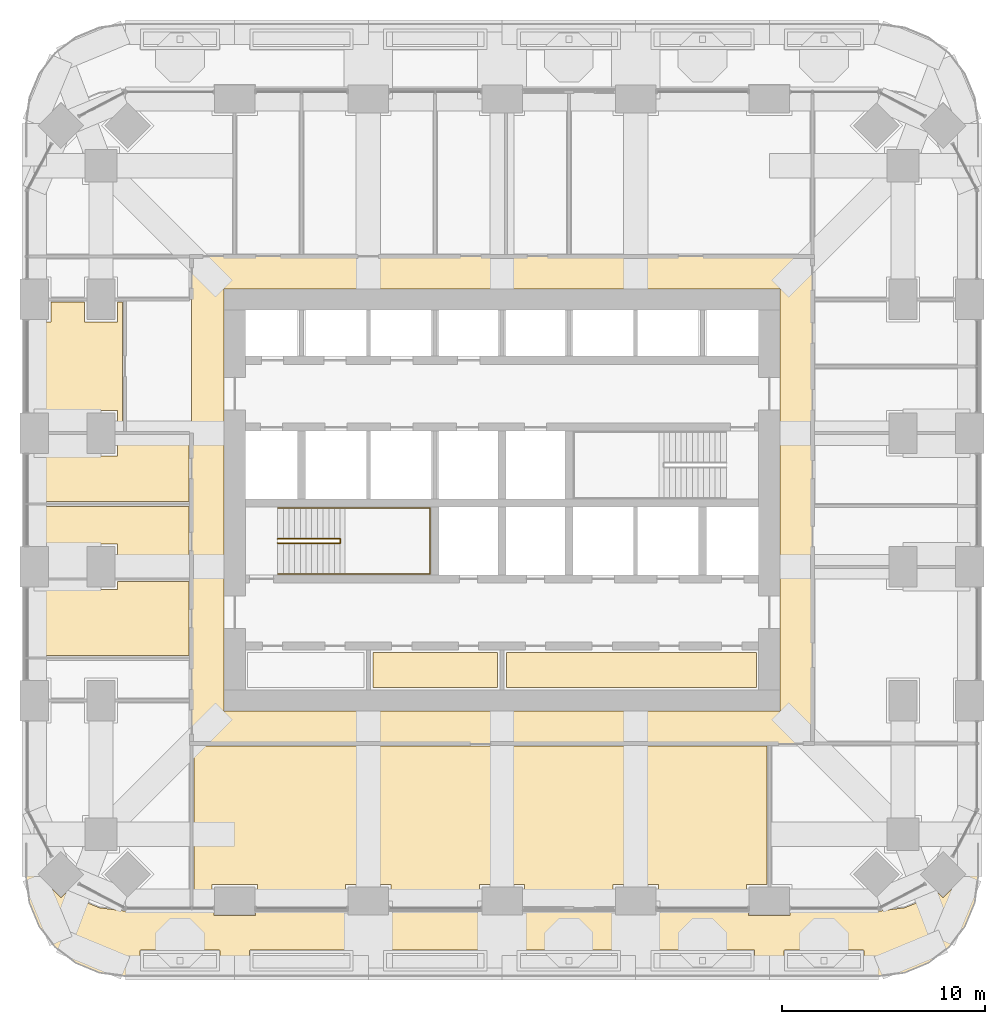
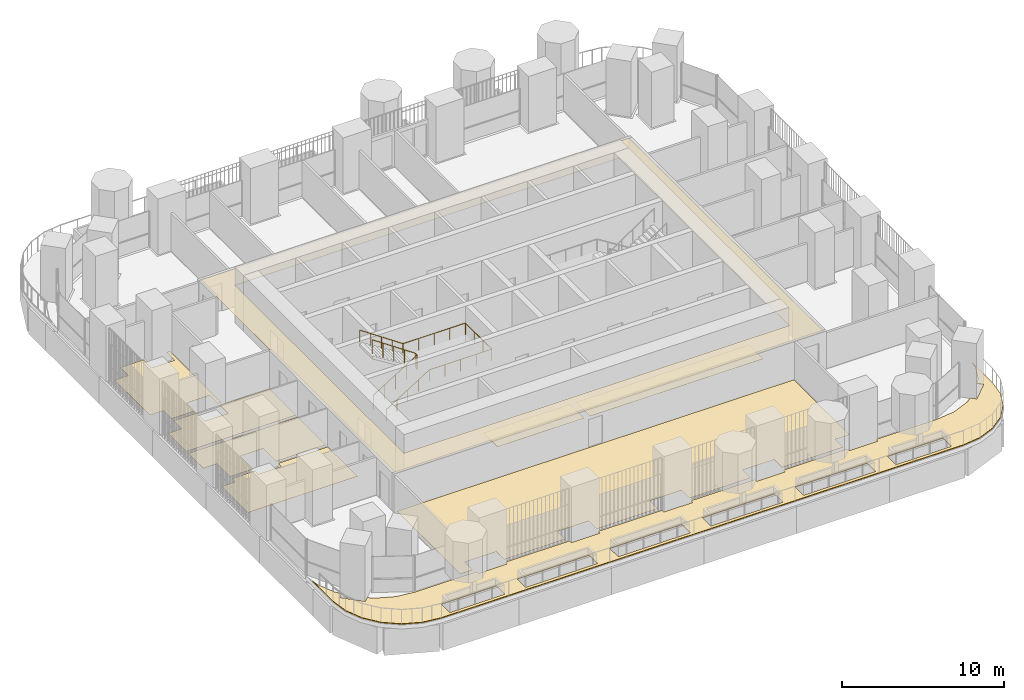
# One storey, part 18 of 22: 9 coverings, 2 railings.
"""IFC4 building model written with IfcOpenShell, lengths in metres."""

import ifcopenshell
import ifcopenshell.guid

model = None  # the IFC model being written
_history = None  # IfcOwnerHistory: only IFC2X3 demands one
_inside = {}  # id of a spatial element -> (the spatial element, [elements in it])
_under = {}  # id of a project, library or spatial element -> (it, [spatial elements below it])
_declared = {}  # id of a project -> (the project, [libraries it declares])
_typed = {}  # id of a type object -> (the type object, [elements of that type])
_made_of = {}  # id of a material, layer set ... -> (it, [elements and type objects made of it])


def new_model(schema):
    """Start an empty IFC model of exactly this schema.

    Asked for "IFC4X3", IfcOpenShell would pick the latest addendum, in which some entities
    have other attributes; the version numbers below select the first issue.
    IFC2X3 requires an IfcOwnerHistory on every rooted entity: one is made here for all.
    """
    global model, _history
    if schema == "IFC4X3":
        model = ifcopenshell.file(schema_version=(4, 3, 0, 0))
    else:
        model = ifcopenshell.file(schema=schema)
    _inside.clear()
    _under.clear()
    _declared.clear()
    _typed.clear()
    _made_of.clear()
    _history = None
    if model.schema == "IFC2X3":
        org = make("IfcOrganization", Name="unknown")
        user = make(
            "IfcPersonAndOrganization",
            ThePerson=make("IfcPerson", FamilyName="unknown"),
            TheOrganization=org,
        )
        app = make(
            "IfcApplication",
            ApplicationDeveloper=org,
            Version="unknown",
            ApplicationFullName="unknown",
            ApplicationIdentifier="unknown",
        )
        _history = make(
            "IfcOwnerHistory",
            OwningUser=user,
            OwningApplication=app,
            ChangeAction="ADDED",
            CreationDate=0,
        )
    return model


def make(cls, **values):
    """One entity of the class cls with the attributes given. An attribute that is None is left unset."""
    return model.create_entity(
        cls, **{name: value for name, value in values.items() if value is not None}
    )


def rooted(cls, **values):
    """An entity with a GlobalId (a new one), such as an element, a storey or a relation."""
    return make(cls, GlobalId=ifcopenshell.guid.new(), OwnerHistory=_history, **values)


def si_unit(unit_type, name, prefix=None):
    """IfcSIUnit, for example si_unit("LENGTHUNIT", "METRE", prefix="MILLI")."""
    return make("IfcSIUnit", UnitType=unit_type, Prefix=prefix, Name=name)


def assignment(units):
    """IfcUnitAssignment: the units of a project."""
    return None if units is None else make("IfcUnitAssignment", Units=units)


def point(xyz):
    """IfcCartesianPoint."""
    return None if xyz is None else make("IfcCartesianPoint", Coordinates=xyz)


def direction(xyz):
    """IfcDirection."""
    return None if xyz is None else make("IfcDirection", DirectionRatios=xyz)


def frame(location, z_axis=None, x_axis=None):
    """IfcAxis2Placement3D, a coordinate frame: its origin and axes. An axis left out is left unset."""
    return make(
        "IfcAxis2Placement3D",
        Location=point(location),
        Axis=direction(z_axis),
        RefDirection=direction(x_axis),
    )


def origin():
    """The frame at (0, 0, 0) with its axes left unset."""
    return frame((0.0, 0.0, 0.0))


def place(relative_to, where):
    """IfcLocalPlacement: puts the frame where relative to a parent placement (None: the world)."""
    return make(
        "IfcLocalPlacement", PlacementRelTo=relative_to, RelativePlacement=where
    )


def context(
    kind, dimensions, precision=None, world=None, true_north=None, identifier=None
):
    """IfcGeometricRepresentationContext, for example the 3D "Model" context."""
    return make(
        "IfcGeometricRepresentationContext",
        ContextIdentifier=identifier,
        ContextType=kind,
        CoordinateSpaceDimension=dimensions,
        Precision=precision,
        WorldCoordinateSystem=world,
        TrueNorth=true_north,
    )


def subcontext(parent, identifier, kind, view, scale=None):
    """IfcGeometricRepresentationSubContext, for example "Body" below "Model"."""
    return make(
        "IfcGeometricRepresentationSubContext",
        ContextIdentifier=identifier,
        ContextType=kind,
        ParentContext=parent,
        TargetScale=scale,
        TargetView=view,
    )


def project(units=None, contexts=None):
    """IfcProject with its units and contexts."""
    return rooted(
        "IfcProject",
        Name="project",
        RepresentationContexts=contexts,
        UnitsInContext=assignment(units),
    )


def spatial(cls, under=None, at=None, **own):
    """A site, building, storey or space (cls), placed at a placement, below another one or the project."""
    s = rooted(cls, ObjectPlacement=at, **own)
    if under is not None:
        _under.setdefault(under.id(), (under, []))[1].append(s)
    return s


def polyline(points):
    """IfcPolyline through the points."""
    return make("IfcPolyline", Points=[point(p) for p in points])


def outline(outer, holes=None, kind="AREA"):
    """IfcArbitraryClosedProfileDef: a profile drawn as a closed curve; with holes, ...WithVoids."""
    if holes is None:
        return make("IfcArbitraryClosedProfileDef", ProfileType=kind, OuterCurve=outer)
    return make(
        "IfcArbitraryProfileDefWithVoids",
        ProfileType=kind,
        OuterCurve=outer,
        InnerCurves=holes,
    )


def extrude(swept, where, along, depth):
    """IfcExtrudedAreaSolid: the profile swept, set in the frame where, extruded along a direction by depth."""
    return make(
        "IfcExtrudedAreaSolid",
        SweptArea=swept,
        Position=where,
        ExtrudedDirection=direction(along),
        Depth=depth,
    )


def shape(context_of_items, identifier, shape_type, items):
    """IfcShapeRepresentation: the items that make up one representation, for example the "Body"."""
    return make(
        "IfcShapeRepresentation",
        ContextOfItems=context_of_items,
        RepresentationIdentifier=identifier,
        RepresentationType=shape_type,
        Items=items,
    )


def material(Name=None, Category=None):
    """IfcMaterial."""
    return make("IfcMaterial", Name=Name, Category=Category)


def layer(
    of_material, thickness, ventilated=None, Name=None, Category=None, Priority=None
):
    """IfcMaterialLayer: one layer of a wall or slab, of a material (None: an air gap)."""
    return make(
        "IfcMaterialLayer",
        Material=of_material,
        LayerThickness=thickness,
        IsVentilated=ventilated,
        Name=Name,
        Category=Category,
        Priority=Priority,
    )


def layer_set(layers, Name=None):
    """IfcMaterialLayerSet."""
    return make("IfcMaterialLayerSet", MaterialLayers=layers, LayerSetName=Name)


def made_of(thing, what):
    """Note that an element or type object is made of a material, layer set ...; save() writes the relation."""
    if what is not None:
        _made_of.setdefault(what.id(), (what, []))[1].append(thing)
    return thing


def type_object(cls, material=None, **own):
    """A type object (cls), such as IfcWallType, which elements share."""
    return made_of(rooted(cls, **own), material)


def element(
    cls,
    number,
    at=None,
    inside=None,
    cuts=None,
    type_object=None,
    material=None,
    context=None,
    identifier="Body",
    shape_type=None,
    held_by="IfcProductDefinitionShape",
    body=None,
    shapes=None,
    **own,
):
    """One element of the class cls, such as IfcWall. Its Tag is "e" and its number.

    at: its placement. inside: the storey or other place that contains it. cuts: it is an
    opening in that element (IfcRelVoidsElement). A single representation is given by context,
    identifier, shape_type and body (its items); several are given by shapes. held_by: the class
    of the entity that holds the representations. save() writes the other relations.
    """
    e = rooted(cls, Tag="e%d" % number, ObjectPlacement=at, **own)
    if body is not None:
        shapes = [shape(context, identifier, shape_type, body)]
    if shapes is not None:
        e.Representation = make(held_by, Representations=shapes)
    if inside is not None:
        _inside.setdefault(inside.id(), (inside, []))[1].append(e)
    if cuts is not None:
        rooted(
            "IfcRelVoidsElement", RelatingBuildingElement=cuts, RelatedOpeningElement=e
        )
    if type_object is not None:
        _typed.setdefault(type_object.id(), (type_object, []))[1].append(e)
    return made_of(e, material)


def aggregate(whole, parts):
    """IfcRelAggregates: a whole, such as a stair, and the parts it consists of."""
    return rooted("IfcRelAggregates", RelatingObject=whole, RelatedObjects=parts)


def save(model, path):
    """Write the relations noted so far, then the file.

    IfcRelAggregates (storeys below a building ...), IfcRelContainedInSpatialStructure (elements
    in a storey), IfcRelDefinesByType, IfcRelAssociatesMaterial and IfcRelDeclares: one each for
    every whole, place, type object, material and project.
    """
    for whole, parts in _under.values():
        aggregate(whole, parts)
    for where, things in _inside.values():
        rooted(
            "IfcRelContainedInSpatialStructure",
            RelatedElements=things,
            RelatingStructure=where,
        )
    for kind, things in _typed.values():
        rooted("IfcRelDefinesByType", RelatedObjects=things, RelatingType=kind)
    for what, things in _made_of.values():
        rooted("IfcRelAssociatesMaterial", RelatedObjects=things, RelatingMaterial=what)
    for by, libraries in _declared.values():
        rooted("IfcRelDeclares", RelatingContext=by, RelatedDefinitions=libraries)
    model.write(path)


model = new_model("IFC4")

# Units and contexts
model_context = context("Model", 3, precision=1e-05, world=origin(), true_north=direction((0.0, 1.0)))
body_context = subcontext(model_context, "Body", "Model", "MODEL_VIEW")
ifc_project = project(units=[si_unit("LENGTHUNIT", "METRE"), si_unit("AREAUNIT", "SQUARE_METRE"), si_unit("VOLUMEUNIT", "CUBIC_METRE"), si_unit("PLANEANGLEUNIT", "RADIAN"), si_unit("MASSUNIT", "GRAM", prefix="KILO")], contexts=[model_context])

# Site, building, storey
site_placement = place(None, origin())
site = spatial("IfcSite", under=ifc_project, at=site_placement, CompositionType="ELEMENT")
building_placement = place(site_placement, origin())
building = spatial("IfcBuilding", under=site, at=building_placement, Name="Cobogo Forest Laboratory Tower", CompositionType="ELEMENT")
storey_placement = place(building_placement, frame((0.0, 0.0, 155.699951171875)))
storey = spatial("IfcBuildingStorey", under=building, at=storey_placement, Name="L35", CompositionType="ELEMENT", Elevation=155.699951171875)

# Coverings
ifc_material_1 = material(Name="Mineral fibre ceiling tile", Category="ceiling")
ifc_layer_1 = layer(ifc_material_1, 0.02001953125)
ifc_layer_set_1 = layer_set([ifc_layer_1], Name="CL1 suspended ceiling")
covering_type_1 = type_object("IfcCoveringType", Name="CL1 suspended ceiling", PredefinedType="CEILING", material=ifc_layer_set_1)
covering_1_placement = place(storey_placement, frame((0.0, 0.0, 2.800048828125)))
element("IfcCovering", 1, at=covering_1_placement, inside=storey, type_object=covering_type_1, Name="Corridor ceiling L35", PredefinedType="CEILING", context=body_context, shape_type="SweptSolid", body=[
    extrude(outline(polyline([(11.074951171875, 11.074951171875), (11.074951171875, 35.125), (41.72509765625, 35.125), (41.72509765625, 11.074951171875), (11.074951171875, 11.074951171875)]), holes=[polyline([(40.125, 33.52490234375), (12.675048828125, 33.52490234375), (12.675048828125, 12.675048828125), (40.125, 12.675048828125), (40.125, 33.52490234375)])]), origin(), (0.0, 0.0, 1.0), 0.02001953125),
])
ifc_material_2 = material(Name="Carpet tile on raised access floor", Category="flooring")
ifc_layer_2 = layer(ifc_material_2, 0.008056640625)
ifc_layer_set_2 = layer_set([ifc_layer_2], Name="CT1 carpet tile floor 8")
covering_type_2 = type_object("IfcCoveringType", Name="CT1 carpet tile floor 8", PredefinedType="FLOORING", material=ifc_layer_set_2)
covering_2_placement = place(storey_placement, origin())
element("IfcCovering", 2, at=covering_2_placement, inside=storey, type_object=covering_type_2, Name="Carpet floor L35-01", PredefinedType="FLOORING", context=body_context, shape_type="SweptSolid", body=[
    extrude(outline(polyline([(39.47998046875, 10.955078125), (39.47998046875, 4.1201171875), (38.47998046875, 4.1201171875), (38.47998046875, 3.14990234375), (34.1201171875, 3.14990234375), (34.1201171875, 4.1201171875), (31.8798828125, 4.1201171875), (31.8798828125, 3.14990234375), (27.52001953125, 3.14990234375), (27.52001953125, 4.1201171875), (25.280029296875, 4.1201171875), (25.280029296875, 3.14990234375), (20.919921875, 3.14990234375), (20.919921875, 4.1201171875), (18.679931640625, 4.1201171875), (18.679931640625, 3.14990234375), (14.320068359375, 3.14990234375), (14.320068359375, 4.1201171875), (12.080078125, 4.1201171875), (12.080078125, 3.14990234375), (11.195068359375, 3.14990234375), (11.195068359375, 10.955078125), (39.47998046875, 10.955078125)])), origin(), (0.0, 0.0, 1.0), 0.008056640625),
])
covering_3_placement = place(storey_placement, origin())
element("IfcCovering", 3, at=covering_3_placement, inside=storey, type_object=covering_type_2, Name="Carpet floor L35-20", PredefinedType="FLOORING", context=body_context, shape_type="SweptSolid", body=[
    extrude(outline(polyline([(7.655029296875, 26.52001953125), (7.419921875, 26.52001953125), (7.419921875, 27.52001953125), (5.780029296875, 27.52001953125), (5.780029296875, 26.52001953125), (4.1201171875, 26.52001953125), (4.1201171875, 27.52001953125), (3.14990234375, 27.52001953125), (3.14990234375, 31.8798828125), (4.1201171875, 31.8798828125), (4.1201171875, 32.8798828125), (5.780029296875, 32.8798828125), (5.780029296875, 31.8798828125), (7.419921875, 31.8798828125), (7.419921875, 32.8798828125), (7.655029296875, 32.8798828125), (7.655029296875, 26.52001953125)])), origin(), (0.0, 0.0, 1.0), 0.008056640625),
])
covering_4_placement = place(storey_placement, origin())
element("IfcCovering", 4, at=covering_4_placement, inside=storey, type_object=covering_type_2, Name="Carpet floor L35-30", PredefinedType="FLOORING", context=body_context, shape_type="SweptSolid", body=[
    extrude(outline(polyline([(26.179931640625, 13.844970703125), (20.02001953125, 13.844970703125), (20.02001953125, 15.580078125), (26.179931640625, 15.580078125), (26.179931640625, 13.844970703125)])), origin(), (0.0, 0.0, 1.0), 0.008056640625),
])
covering_5_placement = place(storey_placement, origin())
element("IfcCovering", 5, at=covering_5_placement, inside=storey, type_object=covering_type_2, Name="Carpet floor L35-31", PredefinedType="FLOORING", context=body_context, shape_type="SweptSolid", body=[
    extrude(outline(polyline([(38.955078125, 13.844970703125), (26.6201171875, 13.844970703125), (26.6201171875, 15.580078125), (38.955078125, 15.580078125), (38.955078125, 13.844970703125)])), origin(), (0.0, 0.0, 1.0), 0.008056640625),
])

# Railings
ifc_material_3 = material(Name="Steel balustrade", Category="steel")
railing_type_1 = type_object("IfcRailingType", Name="GR stair guard 1100", PredefinedType="GUARDRAIL", material=ifc_material_3)
railing_1_placement = place(storey_placement, frame((15.324951171875, 20.969970703125, 0.175048828125)))
element("IfcRailing", 6, at=railing_1_placement, inside=storey, type_object=railing_type_1, Name="Stair guard ST1 L35", PredefinedType="GUARDRAIL", context=body_context, shape_type="SweptSolid", body=[
    extrude(outline(polyline([(0.022216796875, 0.00927734375), (0.00927734375, 0.022216796875), (-0.00927734375, 0.022216796875), (-0.022216796875, 0.00927734375), (-0.022216796875, -0.00927734375), (-0.00927734375, -0.022216796875), (0.00927734375, -0.022216796875), (0.022216796875, -0.00927734375), (0.022216796875, 0.00927734375)])), frame((0.0, 0.0, 1.077880859375), z_axis=(0.847998304005, 0.0, 0.529998940003), x_axis=(0.0, 1.0, 0.0)), (0.0, 0.0, 1.0), 3.632080078125),
    extrude(outline(polyline([(0.022216796875, 0.00927734375), (0.00927734375, 0.022216796875), (-0.00927734375, 0.022216796875), (-0.022216796875, 0.00927734375), (-0.022216796875, -0.00927734375), (-0.00927734375, -0.022216796875), (0.00927734375, -0.022216796875), (0.022216796875, -0.00927734375), (0.022216796875, 0.00927734375)])), frame((3.080078125, 0.0, 3.0029296875), z_axis=(0.0, 1.0, 0.0), x_axis=(-1.0, 0.0, 0.0)), (0.0, 0.0, 1.0), 0.2099609375),
    extrude(outline(polyline([(0.022216796875, 0.00927734375), (0.00927734375, 0.022216796875), (-0.00927734375, 0.022216796875), (-0.022216796875, 0.00927734375), (-0.022216796875, -0.00927734375), (-0.00927734375, -0.022216796875), (0.00927734375, -0.022216796875), (0.022216796875, -0.00927734375), (0.022216796875, 0.00927734375)])), frame((3.080078125, 0.2099609375, 3.0029296875), z_axis=(-0.826252282691, 0.0, 0.563300244406), x_axis=(0.0, -1.0, 0.0)), (0.0, 0.0, 1.0), 3.727783203125),
    extrude(outline(polyline([(0.019287109375, 0.008056640625), (0.008056640625, 0.019287109375), (-0.008056640625, 0.019287109375), (-0.019287109375, 0.008056640625), (-0.019287109375, -0.008056640625), (-0.008056640625, -0.019287109375), (0.008056640625, -0.019287109375), (0.019287109375, -0.008056640625), (0.019287109375, 0.008056640625)])), origin(), (0.0, 0.0, 1.0), 1.077880859375),
    extrude(outline(polyline([(0.019287109375, 0.008056640625), (0.008056640625, 0.019287109375), (-0.008056640625, 0.019287109375), (-0.019287109375, 0.008056640625), (-0.019287109375, -0.008056640625), (-0.008056640625, -0.019287109375), (0.008056640625, -0.019287109375), (0.019287109375, -0.008056640625), (0.019287109375, 0.008056640625)])), frame((0.77001953125, 0.0, 0.481201171875)), (0.0, 0.0, 1.0), 1.077880859375),
    extrude(outline(polyline([(0.019287109375, 0.008056640625), (0.008056640625, 0.019287109375), (-0.008056640625, 0.019287109375), (-0.019287109375, 0.008056640625), (-0.019287109375, -0.008056640625), (-0.008056640625, -0.019287109375), (0.008056640625, -0.019287109375), (0.019287109375, -0.008056640625), (0.019287109375, 0.008056640625)])), frame((1.5400390625, 0.0, 0.96240234375)), (0.0, 0.0, 1.0), 1.077880859375),
    extrude(outline(polyline([(0.019287109375, 0.008056640625), (0.008056640625, 0.019287109375), (-0.008056640625, 0.019287109375), (-0.019287109375, 0.008056640625), (-0.019287109375, -0.008056640625), (-0.008056640625, -0.019287109375), (0.008056640625, -0.019287109375), (0.019287109375, -0.008056640625), (0.019287109375, 0.008056640625)])), frame((2.31005859375, 0.0, 1.44384765625)), (0.0, 0.0, 1.0), 1.077880859375),
    extrude(outline(polyline([(0.019287109375, 0.008056640625), (0.008056640625, 0.019287109375), (-0.008056640625, 0.019287109375), (-0.019287109375, 0.008056640625), (-0.019287109375, -0.008056640625), (-0.008056640625, -0.019287109375), (0.008056640625, -0.019287109375), (0.019287109375, -0.008056640625), (0.019287109375, 0.008056640625)])), frame((3.080078125, 0.0, 1.925048828125)), (0.0, 0.0, 1.0), 1.077880859375),
    extrude(outline(polyline([(0.019287109375, 0.008056640625), (0.008056640625, 0.019287109375), (-0.008056640625, 0.019287109375), (-0.019287109375, 0.008056640625), (-0.019287109375, -0.008056640625), (-0.008056640625, -0.019287109375), (0.008056640625, -0.019287109375), (0.019287109375, -0.008056640625), (0.019287109375, 0.008056640625)])), frame((3.080078125, 0.2099609375, 1.925048828125)), (0.0, 0.0, 1.0), 1.077880859375),
    extrude(outline(polyline([(0.019287109375, 0.008056640625), (0.008056640625, 0.019287109375), (-0.008056640625, 0.019287109375), (-0.019287109375, 0.008056640625), (-0.019287109375, -0.008056640625), (-0.008056640625, -0.019287109375), (0.008056640625, -0.019287109375), (0.019287109375, -0.008056640625), (0.019287109375, 0.008056640625)])), frame((2.31005859375, 0.2099609375, 2.449951171875)), (0.0, 0.0, 1.0), 1.077880859375),
    extrude(outline(polyline([(0.019287109375, 0.008056640625), (0.008056640625, 0.019287109375), (-0.008056640625, 0.019287109375), (-0.019287109375, 0.008056640625), (-0.019287109375, -0.008056640625), (-0.008056640625, -0.019287109375), (0.008056640625, -0.019287109375), (0.019287109375, -0.008056640625), (0.019287109375, 0.008056640625)])), frame((1.5400390625, 0.2099609375, 2.97509765625)), (0.0, 0.0, 1.0), 1.077880859375),
    extrude(outline(polyline([(0.019287109375, 0.008056640625), (0.008056640625, 0.019287109375), (-0.008056640625, 0.019287109375), (-0.019287109375, 0.008056640625), (-0.019287109375, -0.008056640625), (-0.008056640625, -0.019287109375), (0.008056640625, -0.019287109375), (0.019287109375, -0.008056640625), (0.019287109375, 0.008056640625)])), frame((0.77001953125, 0.2099609375, 3.5)), (0.0, 0.0, 1.0), 1.077880859375),
    extrude(outline(polyline([(0.019287109375, 0.008056640625), (0.008056640625, 0.019287109375), (-0.008056640625, 0.019287109375), (-0.019287109375, 0.008056640625), (-0.019287109375, -0.008056640625), (-0.008056640625, -0.019287109375), (0.008056640625, -0.019287109375), (0.019287109375, -0.008056640625), (0.019287109375, 0.008056640625)])), frame((0.0, 0.2099609375, 4.02490234375)), (0.0, 0.0, 1.0), 1.077880859375),
])
ifc_material_4 = material(Name="Stainless steel handrail", Category="steel")
railing_type_2 = type_object("IfcRailingType", Name="HR handrail 900", PredefinedType="HANDRAIL", material=ifc_material_4)
railing_2_placement = place(storey_placement, frame((15.324951171875, 19.449951171875, 0.175048828125)))
element("IfcRailing", 7, at=railing_2_placement, inside=storey, type_object=railing_type_2, Name="Stair handrail ST1 L35", PredefinedType="HANDRAIL", context=body_context, shape_type="SweptSolid", body=[
    extrude(outline(polyline([(0.022216796875, 0.00927734375), (0.00927734375, 0.022216796875), (-0.00927734375, 0.022216796875), (-0.022216796875, 0.00927734375), (-0.022216796875, -0.00927734375), (-0.00927734375, -0.022216796875), (0.00927734375, -0.022216796875), (0.022216796875, -0.00927734375), (0.022216796875, 0.00927734375)])), frame((0.0, 0.0, 0.877685546875), z_axis=(0.847998304005, 0.0, 0.529998940003), x_axis=(0.0, 1.0, 0.0)), (0.0, 0.0, 1.0), 3.632080078125),
    extrude(outline(polyline([(0.022216796875, 0.00927734375), (0.00927734375, 0.022216796875), (-0.00927734375, 0.022216796875), (-0.022216796875, 0.00927734375), (-0.022216796875, -0.00927734375), (-0.00927734375, -0.022216796875), (0.00927734375, -0.022216796875), (0.022216796875, -0.00927734375), (0.022216796875, 0.00927734375)])), frame((3.080078125, 0.0, 2.802734375), z_axis=(1.0, 0.0, 0.0), x_axis=(0.0, 1.0, 0.0)), (0.0, 0.0, 1.0), 4.445068359375),
    extrude(outline(polyline([(0.022216796875, 0.00927734375), (0.00927734375, 0.022216796875), (-0.00927734375, 0.022216796875), (-0.022216796875, 0.00927734375), (-0.022216796875, -0.00927734375), (-0.00927734375, -0.022216796875), (0.00927734375, -0.022216796875), (0.022216796875, -0.00927734375), (0.022216796875, 0.00927734375)])), frame((7.525146484375, 0.0, 2.802734375), z_axis=(0.0, 1.0, 0.0), x_axis=(-1.0, 0.0, 0.0)), (0.0, 0.0, 1.0), 3.25),
    extrude(outline(polyline([(0.022216796875, 0.00927734375), (0.00927734375, 0.022216796875), (-0.00927734375, 0.022216796875), (-0.022216796875, 0.00927734375), (-0.022216796875, -0.00927734375), (-0.00927734375, -0.022216796875), (0.00927734375, -0.022216796875), (0.022216796875, -0.00927734375), (0.022216796875, 0.00927734375)])), frame((7.525146484375, 3.25, 2.802734375), z_axis=(-1.0, 0.0, 0.0), x_axis=(0.0, -1.0, 0.0)), (0.0, 0.0, 1.0), 4.445068359375),
    extrude(outline(polyline([(0.022216796875, 0.00927734375), (0.00927734375, 0.022216796875), (-0.00927734375, 0.022216796875), (-0.022216796875, 0.00927734375), (-0.022216796875, -0.00927734375), (-0.00927734375, -0.022216796875), (0.00927734375, -0.022216796875), (0.022216796875, -0.00927734375), (0.022216796875, 0.00927734375)])), frame((3.080078125, 3.25, 2.802734375), z_axis=(-0.826252282691, 0.0, 0.563300244406), x_axis=(0.0, -1.0, 0.0)), (0.0, 0.0, 1.0), 3.727783203125),
    extrude(outline(polyline([(0.019287109375, 0.008056640625), (0.008056640625, 0.019287109375), (-0.008056640625, 0.019287109375), (-0.019287109375, 0.008056640625), (-0.019287109375, -0.008056640625), (-0.008056640625, -0.019287109375), (0.008056640625, -0.019287109375), (0.019287109375, -0.008056640625), (0.019287109375, 0.008056640625)])), origin(), (0.0, 0.0, 1.0), 0.877685546875),
    extrude(outline(polyline([(0.019287109375, 0.008056640625), (0.008056640625, 0.019287109375), (-0.008056640625, 0.019287109375), (-0.019287109375, 0.008056640625), (-0.019287109375, -0.008056640625), (-0.008056640625, -0.019287109375), (0.008056640625, -0.019287109375), (0.019287109375, -0.008056640625), (0.019287109375, 0.008056640625)])), frame((0.77001953125, 0.0, 0.481201171875)), (0.0, 0.0, 1.0), 0.877685546875),
    extrude(outline(polyline([(0.019287109375, 0.008056640625), (0.008056640625, 0.019287109375), (-0.008056640625, 0.019287109375), (-0.019287109375, 0.008056640625), (-0.019287109375, -0.008056640625), (-0.008056640625, -0.019287109375), (0.008056640625, -0.019287109375), (0.019287109375, -0.008056640625), (0.019287109375, 0.008056640625)])), frame((1.5400390625, 0.0, 0.96240234375)), (0.0, 0.0, 1.0), 0.877685546875),
    extrude(outline(polyline([(0.019287109375, 0.008056640625), (0.008056640625, 0.019287109375), (-0.008056640625, 0.019287109375), (-0.019287109375, 0.008056640625), (-0.019287109375, -0.008056640625), (-0.008056640625, -0.019287109375), (0.008056640625, -0.019287109375), (0.019287109375, -0.008056640625), (0.019287109375, 0.008056640625)])), frame((2.31005859375, 0.0, 1.44384765625)), (0.0, 0.0, 1.0), 0.877685546875),
    extrude(outline(polyline([(0.019287109375, 0.008056640625), (0.008056640625, 0.019287109375), (-0.008056640625, 0.019287109375), (-0.019287109375, 0.008056640625), (-0.019287109375, -0.008056640625), (-0.008056640625, -0.019287109375), (0.008056640625, -0.019287109375), (0.019287109375, -0.008056640625), (0.019287109375, 0.008056640625)])), frame((3.080078125, 0.0, 1.925048828125)), (0.0, 0.0, 1.0), 0.877685546875),
    extrude(outline(polyline([(0.019287109375, 0.008056640625), (0.008056640625, 0.019287109375), (-0.008056640625, 0.019287109375), (-0.019287109375, 0.008056640625), (-0.019287109375, -0.008056640625), (-0.008056640625, -0.019287109375), (0.008056640625, -0.019287109375), (0.019287109375, -0.008056640625), (0.019287109375, 0.008056640625)])), frame((4.19140625, 0.0, 1.925048828125)), (0.0, 0.0, 1.0), 0.877685546875),
    extrude(outline(polyline([(0.019287109375, 0.008056640625), (0.008056640625, 0.019287109375), (-0.008056640625, 0.019287109375), (-0.019287109375, 0.008056640625), (-0.019287109375, -0.008056640625), (-0.008056640625, -0.019287109375), (0.008056640625, -0.019287109375), (0.019287109375, -0.008056640625), (0.019287109375, 0.008056640625)])), frame((5.302734375, 0.0, 1.925048828125)), (0.0, 0.0, 1.0), 0.877685546875),
    extrude(outline(polyline([(0.019287109375, 0.008056640625), (0.008056640625, 0.019287109375), (-0.008056640625, 0.019287109375), (-0.019287109375, 0.008056640625), (-0.019287109375, -0.008056640625), (-0.008056640625, -0.019287109375), (0.008056640625, -0.019287109375), (0.019287109375, -0.008056640625), (0.019287109375, 0.008056640625)])), frame((6.413818359375, 0.0, 1.925048828125)), (0.0, 0.0, 1.0), 0.877685546875),
    extrude(outline(polyline([(0.019287109375, 0.008056640625), (0.008056640625, 0.019287109375), (-0.008056640625, 0.019287109375), (-0.019287109375, 0.008056640625), (-0.019287109375, -0.008056640625), (-0.008056640625, -0.019287109375), (0.008056640625, -0.019287109375), (0.019287109375, -0.008056640625), (0.019287109375, 0.008056640625)])), frame((7.525146484375, 0.0, 1.925048828125)), (0.0, 0.0, 1.0), 0.877685546875),
    extrude(outline(polyline([(0.019287109375, 0.008056640625), (0.008056640625, 0.019287109375), (-0.008056640625, 0.019287109375), (-0.019287109375, 0.008056640625), (-0.019287109375, -0.008056640625), (-0.008056640625, -0.019287109375), (0.008056640625, -0.019287109375), (0.019287109375, -0.008056640625), (0.019287109375, 0.008056640625)])), frame((7.525146484375, 1.083251953125, 1.925048828125)), (0.0, 0.0, 1.0), 0.877685546875),
    extrude(outline(polyline([(0.019287109375, 0.008056640625), (0.008056640625, 0.019287109375), (-0.008056640625, 0.019287109375), (-0.019287109375, 0.008056640625), (-0.019287109375, -0.008056640625), (-0.008056640625, -0.019287109375), (0.008056640625, -0.019287109375), (0.019287109375, -0.008056640625), (0.019287109375, 0.008056640625)])), frame((7.525146484375, 2.166748046875, 1.925048828125)), (0.0, 0.0, 1.0), 0.877685546875),
    extrude(outline(polyline([(0.019287109375, 0.008056640625), (0.008056640625, 0.019287109375), (-0.008056640625, 0.019287109375), (-0.019287109375, 0.008056640625), (-0.019287109375, -0.008056640625), (-0.008056640625, -0.019287109375), (0.008056640625, -0.019287109375), (0.019287109375, -0.008056640625), (0.019287109375, 0.008056640625)])), frame((7.525146484375, 3.25, 1.925048828125)), (0.0, 0.0, 1.0), 0.877685546875),
    extrude(outline(polyline([(0.019287109375, 0.008056640625), (0.008056640625, 0.019287109375), (-0.008056640625, 0.019287109375), (-0.019287109375, 0.008056640625), (-0.019287109375, -0.008056640625), (-0.008056640625, -0.019287109375), (0.008056640625, -0.019287109375), (0.019287109375, -0.008056640625), (0.019287109375, 0.008056640625)])), frame((6.413818359375, 3.25, 1.925048828125)), (0.0, 0.0, 1.0), 0.877685546875),
    extrude(outline(polyline([(0.019287109375, 0.008056640625), (0.008056640625, 0.019287109375), (-0.008056640625, 0.019287109375), (-0.019287109375, 0.008056640625), (-0.019287109375, -0.008056640625), (-0.008056640625, -0.019287109375), (0.008056640625, -0.019287109375), (0.019287109375, -0.008056640625), (0.019287109375, 0.008056640625)])), frame((5.302734375, 3.25, 1.925048828125)), (0.0, 0.0, 1.0), 0.877685546875),
    extrude(outline(polyline([(0.019287109375, 0.008056640625), (0.008056640625, 0.019287109375), (-0.008056640625, 0.019287109375), (-0.019287109375, 0.008056640625), (-0.019287109375, -0.008056640625), (-0.008056640625, -0.019287109375), (0.008056640625, -0.019287109375), (0.019287109375, -0.008056640625), (0.019287109375, 0.008056640625)])), frame((4.19140625, 3.25, 1.925048828125)), (0.0, 0.0, 1.0), 0.877685546875),
    extrude(outline(polyline([(0.019287109375, 0.008056640625), (0.008056640625, 0.019287109375), (-0.008056640625, 0.019287109375), (-0.019287109375, 0.008056640625), (-0.019287109375, -0.008056640625), (-0.008056640625, -0.019287109375), (0.008056640625, -0.019287109375), (0.019287109375, -0.008056640625), (0.019287109375, 0.008056640625)])), frame((3.080078125, 3.25, 1.925048828125)), (0.0, 0.0, 1.0), 0.877685546875),
    extrude(outline(polyline([(0.019287109375, 0.008056640625), (0.008056640625, 0.019287109375), (-0.008056640625, 0.019287109375), (-0.019287109375, 0.008056640625), (-0.019287109375, -0.008056640625), (-0.008056640625, -0.019287109375), (0.008056640625, -0.019287109375), (0.019287109375, -0.008056640625), (0.019287109375, 0.008056640625)])), frame((2.31005859375, 3.25, 2.449951171875)), (0.0, 0.0, 1.0), 0.877685546875),
    extrude(outline(polyline([(0.019287109375, 0.008056640625), (0.008056640625, 0.019287109375), (-0.008056640625, 0.019287109375), (-0.019287109375, 0.008056640625), (-0.019287109375, -0.008056640625), (-0.008056640625, -0.019287109375), (0.008056640625, -0.019287109375), (0.019287109375, -0.008056640625), (0.019287109375, 0.008056640625)])), frame((1.5400390625, 3.25, 2.97509765625)), (0.0, 0.0, 1.0), 0.877685546875),
    extrude(outline(polyline([(0.019287109375, 0.008056640625), (0.008056640625, 0.019287109375), (-0.008056640625, 0.019287109375), (-0.019287109375, 0.008056640625), (-0.019287109375, -0.008056640625), (-0.008056640625, -0.019287109375), (0.008056640625, -0.019287109375), (0.019287109375, -0.008056640625), (0.019287109375, 0.008056640625)])), frame((0.77001953125, 3.25, 3.5)), (0.0, 0.0, 1.0), 0.877685546875),
    extrude(outline(polyline([(0.019287109375, 0.008056640625), (0.008056640625, 0.019287109375), (-0.008056640625, 0.019287109375), (-0.019287109375, 0.008056640625), (-0.019287109375, -0.008056640625), (-0.008056640625, -0.019287109375), (0.008056640625, -0.019287109375), (0.019287109375, -0.008056640625), (0.019287109375, 0.008056640625)])), frame((0.0, 3.25, 4.02490234375)), (0.0, 0.0, 1.0), 0.877685546875),
])

# Coverings
ifc_material_5 = material(Name="Bituminous waterproofing, protection board and paving", Category="roofing")
ifc_layer_3 = layer(ifc_material_5, 0.06005859375)
ifc_layer_set_3 = layer_set([ifc_layer_3], Name="RF1 terrace and roof garden build-up 60")
covering_type_3 = type_object("IfcCoveringType", Name="RF1 terrace and roof garden build-up 60", PredefinedType="ROOFING", material=ifc_layer_set_3)
covering_6_placement = place(storey_placement, origin())
element("IfcCovering", 8, at=covering_6_placement, inside=storey, type_object=covering_type_3, Name="Terrace build-up TER-S L35", PredefinedType="ROOFING", context=body_context, shape_type="SweptSolid", body=[
    extrude(outline(polyline([(49.732666015625, 3.23193359375), (49.2431640625, 2.05029296875), (48.464599609375, 1.035400390625), (47.44970703125, 0.2568359375), (46.26806640625, -0.232666015625), (44.996826171875, -0.39990234375), (7.80322265625, -0.39990234375), (6.531982421875, -0.232666015625), (5.35009765625, 0.2568359375), (4.33544921875, 1.035400390625), (3.556884765625, 2.05029296875), (3.0673828125, 3.23193359375), (2.89990234375, 4.503173828125), (2.89990234375, 7.037109375), (2.969970703125, 6.505859375), (3.469482421875, 5.2998046875), (3.7607421875, 4.92041015625), (3.472412109375, 4.632080078125), (3.467041015625, 4.621826171875), (3.467041015625, 4.614013671875), (3.468994140625, 4.608642578125), (4.605224609375, 3.47119140625), (4.6123046875, 3.467529296875), (4.617919921875, 3.466552734375), (4.625732421875, 3.46826171875), (4.632080078125, 3.472412109375), (4.92041015625, 3.7607421875), (5.2998046875, 3.469482421875), (6.505859375, 2.969970703125), (7.796630859375, 2.800048828125), (12.179931640625, 2.800048828125), (12.18017578125, 2.59814453125), (12.181640625, 2.59228515625), (12.185791015625, 2.5859375), (12.1923828125, 2.58154296875), (12.199951171875, 2.580078125), (14.201904296875, 2.580078125), (14.207763671875, 2.58154296875), (14.214111328125, 2.5859375), (14.218505859375, 2.59228515625), (14.219970703125, 2.59814453125), (14.219970703125, 2.800048828125), (18.780029296875, 2.800048828125), (18.780029296875, 2.59814453125), (18.782470703125, 2.590576171875), (18.785888671875, 2.5859375), (18.792236328125, 2.58154296875), (18.800048828125, 2.580078125), (20.802001953125, 2.580078125), (20.809326171875, 2.582275390625), (20.814208984375, 2.5859375), (20.817626953125, 2.590576171875), (20.81982421875, 2.59814453125), (20.820068359375, 2.800048828125), (25.3798828125, 2.800048828125), (25.380126953125, 2.59814453125), (25.38232421875, 2.590576171875), (25.3857421875, 2.5859375), (25.392333984375, 2.58154296875), (25.39990234375, 2.580078125), (27.40185546875, 2.580078125), (27.409423828125, 2.582275390625), (27.4140625, 2.5859375), (27.417724609375, 2.590576171875), (27.419921875, 2.59814453125), (27.419921875, 2.800048828125), (31.97998046875, 2.800048828125), (31.97998046875, 2.59814453125), (31.982421875, 2.590576171875), (31.98583984375, 2.5859375), (31.992431640625, 2.58154296875), (32.0, 2.580078125), (34.001953125, 2.580078125), (34.009521484375, 2.582275390625), (34.01416015625, 2.5859375), (34.0185546875, 2.59228515625), (34.02001953125, 2.59814453125), (34.02001953125, 2.800048828125), (38.580078125, 2.800048828125), (38.580078125, 2.59814453125), (38.582275390625, 2.590576171875), (38.58740234375, 2.58447265625), (38.59423828125, 2.580810546875), (38.60009765625, 2.580078125), (40.60205078125, 2.580078125), (40.609375, 2.582275390625), (40.6142578125, 2.5859375), (40.618408203125, 2.59228515625), (40.619873046875, 2.59814453125), (40.6201171875, 2.800048828125), (45.003173828125, 2.800048828125), (46.294189453125, 2.969970703125), (47.500244140625, 3.469482421875), (47.879638671875, 3.7607421875), (48.167724609375, 3.472412109375), (48.17431640625, 3.46826171875), (48.181884765625, 3.466552734375), (48.187744140625, 3.467529296875), (48.194580078125, 3.47119140625), (49.3310546875, 4.608642578125), (49.3330078125, 4.614013671875), (49.3330078125, 4.621826171875), (49.327392578125, 4.632080078125), (49.039306640625, 4.92041015625), (49.33056640625, 5.2998046875), (49.830078125, 6.505859375), (49.89990234375, 7.037109375), (49.89990234375, 4.503173828125), (49.732666015625, 3.23193359375)]), holes=[polyline([(8.53076171875, 0.855712890625), (8.530029296875, -0.14990234375), (8.531494140625, -0.15771484375), (8.534423828125, -0.16259765625), (8.544189453125, -0.169189453125), (12.449951171875, -0.169921875), (12.461181640625, -0.166748046875), (12.465576171875, -0.16259765625), (12.46923828125, -0.15576171875), (12.469970703125, 0.85009765625), (12.468505859375, 0.857666015625), (12.465576171875, 0.86279296875), (12.455810546875, 0.869140625), (8.550048828125, 0.8701171875), (8.538818359375, 0.86669921875), (8.534423828125, 0.86279296875), (8.53076171875, 0.855712890625)]), polyline([(13.931640625, 0.857666015625), (13.929931640625, 0.85009765625), (13.929931640625, -0.14990234375), (13.931640625, -0.15771484375), (13.9345703125, -0.16259765625), (13.93896484375, -0.166748046875), (13.946044921875, -0.169677734375), (19.050048828125, -0.169921875), (19.055908203125, -0.169189453125), (19.062744140625, -0.16552734375), (19.066650390625, -0.1611328125), (19.069580078125, -0.15380859375), (19.070068359375, 0.85009765625), (19.069091796875, 0.855712890625), (19.0654296875, 0.86279296875), (19.059326171875, 0.86767578125), (19.053955078125, 0.86962890625), (13.949951171875, 0.8701171875), (13.93896484375, 0.86669921875), (13.931640625, 0.857666015625)]), polyline([(20.53076171875, 0.855712890625), (20.530029296875, -0.14990234375), (20.53076171875, -0.15576171875), (20.534423828125, -0.16259765625), (20.538818359375, -0.166748046875), (20.546142578125, -0.169677734375), (25.64990234375, -0.169921875), (25.65576171875, -0.169189453125), (25.66259765625, -0.16552734375), (25.666748046875, -0.1611328125), (25.669677734375, -0.15380859375), (25.669921875, 0.85009765625), (25.669189453125, 0.855712890625), (25.66552734375, 0.86279296875), (25.659423828125, 0.86767578125), (25.65380859375, 0.86962890625), (20.550048828125, 0.8701171875), (20.538818359375, 0.86669921875), (20.533447265625, 0.861083984375), (20.53076171875, 0.855712890625)]), polyline([(33.7314453125, 0.857666015625), (33.72998046875, 0.85009765625), (33.72998046875, -0.14990234375), (33.7314453125, -0.15771484375), (33.734619140625, -0.16259765625), (33.740478515625, -0.167724609375), (33.74609375, -0.169677734375), (38.85009765625, -0.169921875), (38.855712890625, -0.169189453125), (38.86279296875, -0.16552734375), (38.86669921875, -0.1611328125), (38.86962890625, -0.15380859375), (38.8701171875, 0.85009765625), (38.868408203125, 0.857666015625), (38.865478515625, 0.86279296875), (38.859375, 0.86767578125), (38.85400390625, 0.86962890625), (33.75, 0.8701171875), (33.73876953125, 0.86669921875), (33.7314453125, 0.857666015625)]), polyline([(27.131591796875, 0.857666015625), (27.1298828125, 0.85009765625), (27.1298828125, -0.14990234375), (27.130859375, -0.15576171875), (27.134521484375, -0.16259765625), (27.138916015625, -0.166748046875), (27.14599609375, -0.169677734375), (32.25, -0.169921875), (32.255859375, -0.169189453125), (32.2626953125, -0.16552734375), (32.2666015625, -0.1611328125), (32.26953125, -0.15380859375), (32.27001953125, 0.85009765625), (32.2685546875, 0.857666015625), (32.265380859375, 0.86279296875), (32.259521484375, 0.86767578125), (32.25390625, 0.86962890625), (27.14990234375, 0.8701171875), (27.138916015625, 0.86669921875), (27.131591796875, 0.857666015625)]), polyline([(40.330810546875, 0.855712890625), (40.330078125, -0.14990234375), (40.33154296875, -0.15771484375), (40.33447265625, -0.16259765625), (40.34423828125, -0.169189453125), (44.25, -0.169921875), (44.255859375, -0.169189453125), (44.2626953125, -0.16552734375), (44.26904296875, -0.15576171875), (44.27001953125, 0.85009765625), (44.2685546875, 0.857666015625), (44.265380859375, 0.86279296875), (44.255859375, 0.869140625), (40.35009765625, 0.8701171875), (40.34423828125, 0.869140625), (40.33740234375, 0.865478515625), (40.330810546875, 0.855712890625)])]), origin(), (0.0, 0.0, 1.0), 0.06005859375),
])
ifc_material_6 = material(Name="Ceramic floor tile", Category="flooring")
ifc_layer_4 = layer(ifc_material_6, 0.010009765625)
ifc_layer_set_4 = layer_set([ifc_layer_4], Name="TF1 ceramic tile floor 10")
covering_type_4 = type_object("IfcCoveringType", Name="TF1 ceramic tile floor 10", PredefinedType="FLOORING", material=ifc_layer_set_4)
covering_7_placement = place(storey_placement, origin())
element("IfcCovering", 9, at=covering_7_placement, inside=storey, type_object=covering_type_4, Name="Tile floor L35-17", PredefinedType="FLOORING", context=body_context, shape_type="SweptSolid", body=[
    extrude(outline(polyline([(10.955078125, 15.419921875), (3.14990234375, 15.419921875), (3.14990234375, 18.679931640625), (4.1201171875, 18.679931640625), (4.1201171875, 19.080078125), (5.780029296875, 19.080078125), (5.780029296875, 18.679931640625), (7.419921875, 18.679931640625), (7.419921875, 19.080078125), (10.955078125, 19.080078125), (10.955078125, 15.419921875)])), origin(), (0.0, 0.0, 1.0), 0.010009765625),
])
covering_8_placement = place(storey_placement, origin())
element("IfcCovering", 10, at=covering_8_placement, inside=storey, type_object=covering_type_4, Name="Tile floor L35-18", PredefinedType="FLOORING", context=body_context, shape_type="SweptSolid", body=[
    extrude(outline(polyline([(10.955078125, 19.320068359375), (7.419921875, 19.320068359375), (7.419921875, 20.919921875), (5.780029296875, 20.919921875), (5.780029296875, 19.320068359375), (4.1201171875, 19.320068359375), (4.1201171875, 20.919921875), (3.14990234375, 20.919921875), (3.14990234375, 22.780029296875), (10.955078125, 22.780029296875), (10.955078125, 19.320068359375)])), origin(), (0.0, 0.0, 1.0), 0.010009765625),
])
covering_9_placement = place(storey_placement, origin())
element("IfcCovering", 11, at=covering_9_placement, inside=storey, type_object=covering_type_4, Name="Tile floor L35-19", PredefinedType="FLOORING", context=body_context, shape_type="SweptSolid", body=[
    extrude(outline(polyline([(10.955078125, 23.02001953125), (3.14990234375, 23.02001953125), (3.14990234375, 25.280029296875), (4.1201171875, 25.280029296875), (4.1201171875, 26.280029296875), (5.780029296875, 26.280029296875), (5.780029296875, 25.280029296875), (7.419921875, 25.280029296875), (7.419921875, 26.280029296875), (10.955078125, 26.280029296875), (10.955078125, 23.02001953125)])), origin(), (0.0, 0.0, 1.0), 0.010009765625),
])

save(model, "model.ifc")
